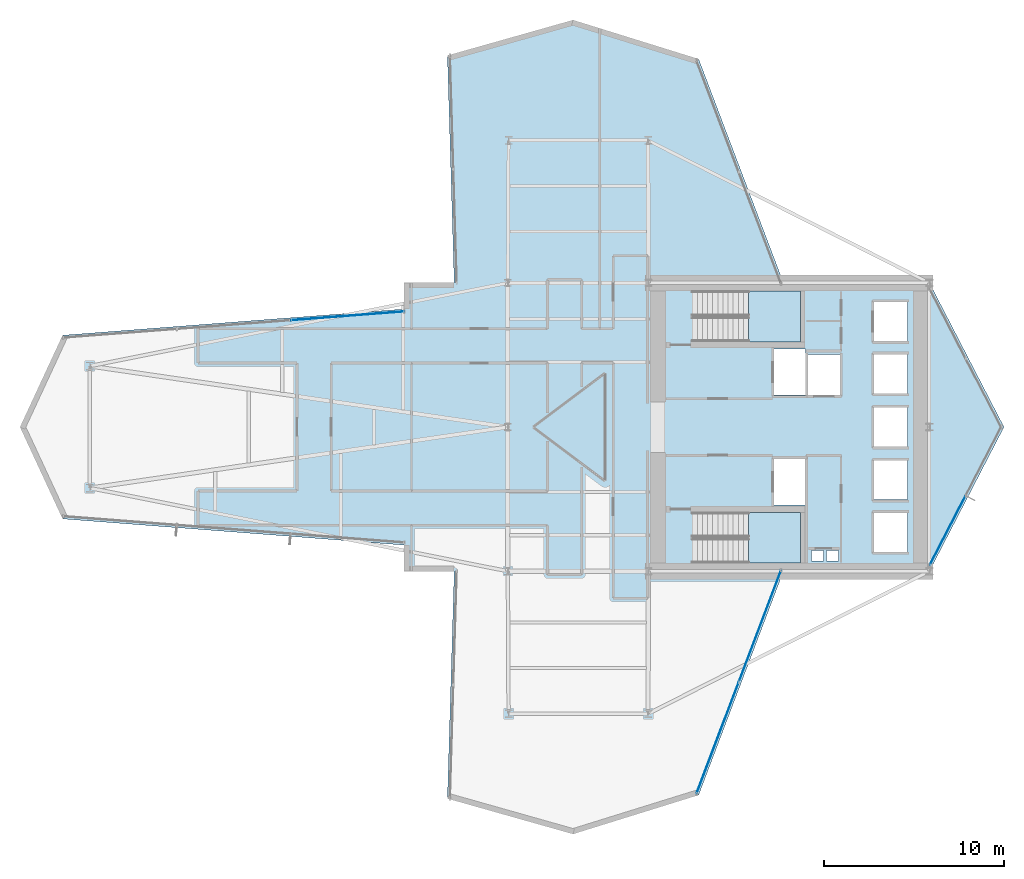
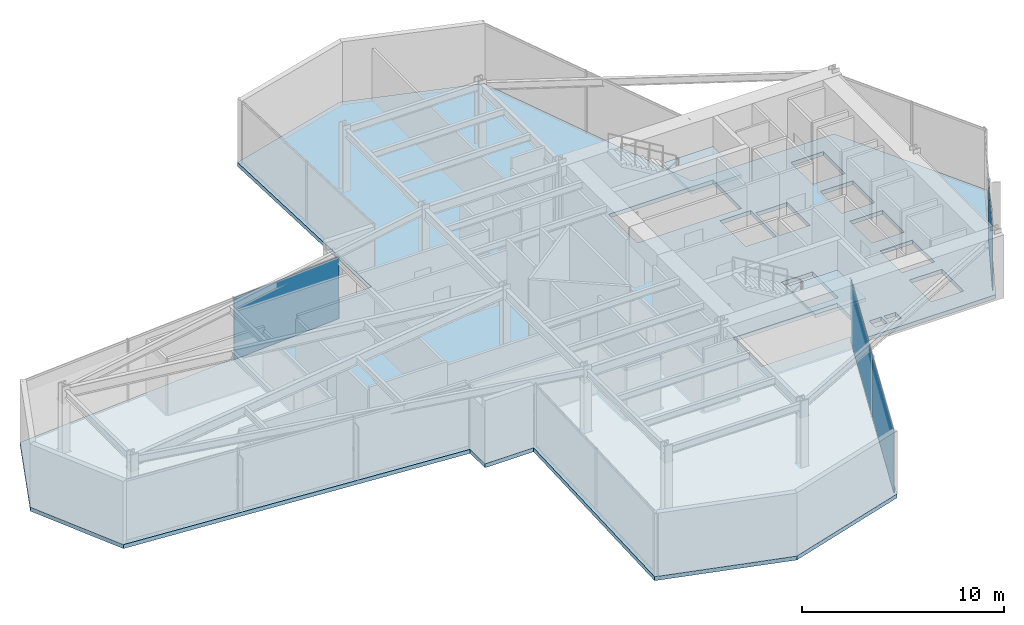
# One storey, part 24 of 30: 4 plates, 3 slabs, 5 elements without a shape of their own.
"""IFC4 building model written with IfcOpenShell, lengths in metres."""

from ifc_helpers import new_model, si_unit, direction, frame, origin, origin_2d, place, context, subcontext, project, spatial, polyline, rectangle, outline, extrude, material, layer, layer_set, type_object, element, aggregate, save


model = new_model("IFC4")

# Units and contexts
model_context = context("Model", 3, precision=1e-05, world=origin(), true_north=direction((0.0, 1.0)))
body_context = subcontext(model_context, "Body", "Model", "MODEL_VIEW")
ifc_project = project(units=[si_unit("LENGTHUNIT", "METRE"), si_unit("AREAUNIT", "SQUARE_METRE"), si_unit("VOLUMEUNIT", "CUBIC_METRE"), si_unit("PLANEANGLEUNIT", "RADIAN"), si_unit("MASSUNIT", "GRAM", prefix="KILO")], contexts=[model_context])

# Site, building, storey
site_placement = place(None, origin())
site = spatial("IfcSite", under=ifc_project, at=site_placement, CompositionType="ELEMENT")
building_placement = place(site_placement, origin())
building = spatial("IfcBuilding", under=site, at=building_placement, Name="Veymaron Broadcast Tower", CompositionType="ELEMENT")
storey_placement = place(building_placement, frame((0.0, 0.0, 37.800048828125)))
storey = spatial("IfcBuildingStorey", under=building, at=storey_placement, Name="L07", CompositionType="ELEMENT", Elevation=37.800048828125)

# Curtain wall, plate
ifc_material_1 = material(Name="Anodised aluminium AA 6063-T6 and laminated low-E dark glass", Category="aluminium")
ifc_layer_1 = layer(ifc_material_1, 0.179931640625)
ifc_layer_set_1 = layer_set([ifc_layer_1], Name="Anodised aluminium AA 6063-T6 and laminated low-E dark glass")
curtain_wall_type = type_object("IfcCurtainWallType", Name="CW-SYS-02", PredefinedType="NOTDEFINED", material=ifc_layer_set_1)
curtain_wall_1_placement = place(storey_placement, origin())
curtain_wall_1 = element("IfcCurtainWall", 1, at=curtain_wall_1_placement, inside=storey, type_object=curtain_wall_type, Name="L07 dark-glass curtain wall CW-L07-E2-1", PredefinedType="NOTDEFINED")
ifc_material_2 = material(Name="Double-silver solar-control dark glass IGU 32 mm", Category="glass")
ifc_layer_2 = layer(ifc_material_2, 0.031982421875)
ifc_layer_set_2 = layer_set([ifc_layer_2], Name="Double-silver solar-control dark glass IGU 32 mm")
plate_type = type_object("IfcPlateType", Name="CW-PNL-02", PredefinedType="CURTAIN_PANEL", material=ifc_layer_set_2)
plate_1_placement = place(storey_placement, frame((55.60888671875, 18.255615234375, 0.0400390625), z_axis=(0.0, 0.0, 1.0), x_axis=(0.459331828221, 0.88826475309, 0.0)))
plate_1 = element("IfcPlate", 2, at=plate_1_placement, type_object=plate_type, Name="CW-L07-E2-1 unitised curtain panel 0", PredefinedType="CURTAIN_PANEL", context=body_context, shape_type="SweptSolid", body=[
    extrude(rectangle(XDim=4.299560546875, YDim=0.031982421875, at=origin_2d()), origin(), (0.0, 0.0, 1.0), 3.72998046875),
])
aggregate(curtain_wall_1, [plate_1])

curtain_wall_2_placement = place(storey_placement, origin())
curtain_wall_2 = element("IfcCurtainWall", 3, at=curtain_wall_2_placement, inside=storey, type_object=curtain_wall_type, Name="L07 dark-glass curtain wall CW-L07-E11-1", PredefinedType="NOTDEFINED")
plate_2_placement = place(storey_placement, frame((22.30078125, 30.169677734375, 0.0400390625), z_axis=(0.0, 0.0, 1.0), x_axis=(-0.997062117783, -0.076597214581, 0.0)))
plate_2 = element("IfcPlate", 4, at=plate_2_placement, type_object=plate_type, Name="CW-L07-E11-1 unitised curtain panel 0", PredefinedType="CURTAIN_PANEL", context=body_context, shape_type="SweptSolid", body=[
    extrude(rectangle(XDim=6.274658203125, YDim=0.031982421875, at=origin_2d()), origin(), (0.0, 0.0, 1.0), 3.72998046875),
])
aggregate(curtain_wall_2, [plate_2])

# Curtain wall, plates
curtain_wall_3_placement = place(storey_placement, origin())
curtain_wall_3 = element("IfcCurtainWall", 5, at=curtain_wall_3_placement, inside=storey, type_object=curtain_wall_type, Name="L07 dark-glass curtain wall CW-L07-E20-1", PredefinedType="NOTDEFINED")
plate_3_placement = place(storey_placement, frame((42.83935546875, 6.739013671875, 0.0400390625), z_axis=(0.0, 0.0, 1.0), x_axis=(0.354225752381, 0.935159941588, 0.0)))
plate_3 = element("IfcPlate", 6, at=plate_3_placement, type_object=plate_type, Name="CW-L07-E20-1 unitised curtain panel 0", PredefinedType="CURTAIN_PANEL", context=body_context, shape_type="SweptSolid", body=[
    extrude(rectangle(XDim=6.577392578125, YDim=0.031982421875, at=origin_2d()), origin(), (0.0, 0.0, 1.0), 3.72998046875),
])
plate_4_placement = place(storey_placement, frame((45.1904296875, 12.946044921875, 0.0400390625), z_axis=(0.0, 0.0, 1.0), x_axis=(0.354225752381, 0.935159941588, 0.0)))
plate_4 = element("IfcPlate", 7, at=plate_4_placement, type_object=plate_type, Name="CW-L07-E20-1 unitised curtain panel 1", PredefinedType="CURTAIN_PANEL", context=body_context, shape_type="SweptSolid", body=[
    extrude(rectangle(XDim=6.577392578125, YDim=0.031982421875, at=origin_2d()), origin(), (0.0, 0.0, 1.0), 3.72998046875),
])
aggregate(curtain_wall_3, [plate_3, plate_4])

# Slab
ifc_material_3 = material(Name="Concrete C40/50", Category="concrete")
ifc_layer_3 = layer(ifc_material_3, 0.239990234375)
ifc_layer_set_3 = layer_set([ifc_layer_3], Name="Concrete C40/50")
slab_type_1 = type_object("IfcSlabType", Name="SLAB-FS6", PredefinedType="FLOOR", material=ifc_layer_set_3)
slab_1_placement = place(storey_placement, frame((0.0, 0.0, -0.239990234375)))
element("IfcSlab", 8, at=slab_1_placement, inside=storey, type_object=slab_type_1, Name="L07 structural floor slab", PredefinedType="FLOOR", context=body_context, shape_type="SweptSolid", body=[
    extrude(outline(polyline([(46.4970703125, 16.0), (54.60009765625, 16.0), (58.737060546875, 24.0), (54.60009765625, 32.0), (46.4970703125, 32.0), (41.794677734375, 44.4140625), (34.821044921875, 46.5810546875), (27.847412109375, 44.611083984375), (28.22412109375, 32.0), (25.447998046875, 32.0), (25.447998046875, 30.5517578125), (6.5, 29.09619140625), (4.135986328125, 24.0), (6.5, 18.90380859375), (25.447998046875, 17.4482421875), (25.447998046875, 16.0), (28.22412109375, 16.0), (27.847412109375, 3.388916015625), (34.821044921875, 1.4189453125), (41.794677734375, 3.5859375), (46.4970703125, 16.0)]), holes=[polyline([(45.969970703125, 28.330078125), (47.72998046875, 28.330078125), (47.72998046875, 25.77001953125), (45.969970703125, 25.77001953125), (45.969970703125, 28.330078125)]), polyline([(45.969970703125, 22.22998046875), (47.72998046875, 22.22998046875), (47.72998046875, 19.669921875), (45.969970703125, 19.669921875), (45.969970703125, 22.22998046875)]), polyline([(47.8701171875, 28.030029296875), (49.6298828125, 28.030029296875), (49.6298828125, 25.77001953125), (47.8701171875, 25.77001953125), (47.8701171875, 28.030029296875)]), polyline([(51.52001953125, 30.929931640625), (53.3798828125, 30.929931640625), (53.3798828125, 28.77001953125), (51.52001953125, 28.77001953125), (51.52001953125, 30.929931640625)]), polyline([(51.52001953125, 28.030029296875), (53.3798828125, 28.030029296875), (53.3798828125, 25.8701171875), (51.52001953125, 25.8701171875), (51.52001953125, 28.030029296875)]), polyline([(51.52001953125, 22.1298828125), (53.3798828125, 22.1298828125), (53.3798828125, 19.969970703125), (51.52001953125, 19.969970703125), (51.52001953125, 22.1298828125)]), polyline([(51.52001953125, 25.080078125), (53.3798828125, 25.080078125), (53.3798828125, 22.919921875), (51.52001953125, 22.919921875), (51.52001953125, 25.080078125)]), polyline([(51.52001953125, 19.22998046875), (53.3798828125, 19.22998046875), (53.3798828125, 17.070068359375), (51.52001953125, 17.070068359375), (51.52001953125, 19.22998046875)]), polyline([(48.050048828125, 17.159912109375), (48.719970703125, 17.159912109375), (48.719970703125, 16.56005859375), (48.050048828125, 16.56005859375), (48.050048828125, 17.159912109375)]), polyline([(48.8798828125, 17.159912109375), (49.550048828125, 17.159912109375), (49.550048828125, 16.56005859375), (48.8798828125, 16.56005859375), (48.8798828125, 17.159912109375)]), polyline([(41.489990234375, 31.550048828125), (47.43994140625, 31.550048828125), (47.43994140625, 28.72998046875), (41.489990234375, 28.72998046875), (41.489990234375, 31.550048828125)]), polyline([(41.489990234375, 19.27001953125), (47.43994140625, 19.27001953125), (47.43994140625, 16.449951171875), (41.489990234375, 16.449951171875), (41.489990234375, 19.27001953125)])]), origin(), (0.0, 0.0, 1.0), 0.239990234375),
])

# Stair, slab
ifc_material_4 = material(Name="Concrete C50/60", Category="concrete")
stair_type_1 = type_object("IfcStairType", Name="STAIR-CORE-1", PredefinedType="HALF_TURN_STAIR", material=ifc_material_4)
stair_1_placement = place(storey_placement, origin())
stair_1 = element("IfcStair", 9, at=stair_1_placement, inside=storey, type_object=stair_type_1, Name="L07 North protected dog-leg exit stair ST1", PredefinedType="HALF_TURN_STAIR")
ifc_layer_4 = layer(ifc_material_4, 0.199951171875)
ifc_layer_set_4 = layer_set([ifc_layer_4], Name="Concrete C50/60")
slab_type_2 = type_object("IfcSlabType", Name="SLAB-STAIR-LDG", PredefinedType="LANDING", material=ifc_layer_set_4)
slab_2_placement = place(storey_placement, frame((0.0, 0.0, 1.824951171875)))
slab_2 = element("IfcSlab", 10, at=slab_2_placement, type_object=slab_type_2, Name="ST1 landing 1", PredefinedType="LANDING", context=body_context, shape_type="SweptSolid", body=[
    extrude(outline(polyline([(44.56494140625, 28.72998046875), (47.43994140625, 28.72998046875), (47.43994140625, 31.550048828125), (44.56494140625, 31.550048828125), (44.56494140625, 28.72998046875)])), origin(), (0.0, 0.0, 1.0), 0.199951171875),
])
aggregate(stair_1, [slab_2])

stair_type_2 = type_object("IfcStairType", Name="STAIR-CORE-2", PredefinedType="HALF_TURN_STAIR", material=ifc_material_4)
stair_2_placement = place(storey_placement, origin())
stair_2 = element("IfcStair", 11, at=stair_2_placement, inside=storey, type_object=stair_type_2, Name="L07 South protected dog-leg exit stair ST2", PredefinedType="HALF_TURN_STAIR")
slab_3_placement = place(storey_placement, frame((0.0, 0.0, 1.824951171875)))
slab_3 = element("IfcSlab", 12, at=slab_3_placement, type_object=slab_type_2, Name="ST2 landing 1", PredefinedType="LANDING", context=body_context, shape_type="SweptSolid", body=[
    extrude(outline(polyline([(44.56494140625, 16.449951171875), (47.43994140625, 16.449951171875), (47.43994140625, 19.27001953125), (44.56494140625, 19.27001953125), (44.56494140625, 16.449951171875)])), origin(), (0.0, 0.0, 1.0), 0.199951171875),
])
aggregate(stair_2, [slab_3])

save(model, "model.ifc")
